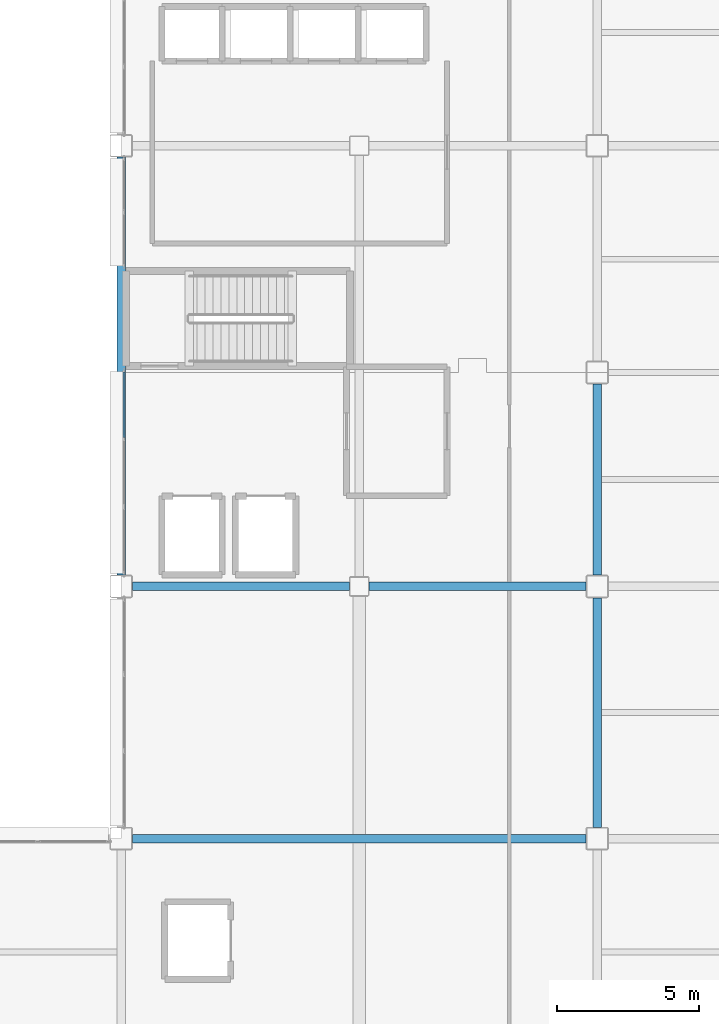
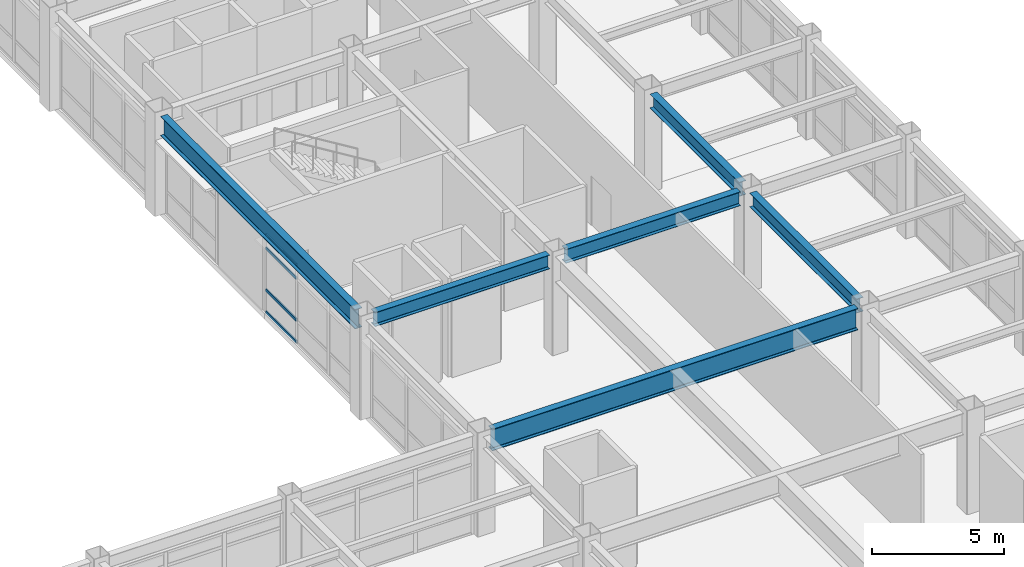
# One storey, part 91 of 154: 6 beams, 4 members, 1 element without a shape of its own.
"""IFC4 building model written with IfcOpenShell, lengths in metres."""

from ifc_helpers import new_model, si_unit, direction, frame, origin, origin_2d, place, context, subcontext, project, spatial, hollow_rectangle, i_section, extrude, material, layer, layer_set, material_profile, profile_set, type_object, element, aggregate, save


model = new_model("IFC4")

# Units and contexts
model_context = context("Model", 3, precision=1e-05, world=origin(), true_north=direction((0.0, 1.0)))
body_context = subcontext(model_context, "Body", "Model", "MODEL_VIEW")
ifc_project = project(units=[si_unit("LENGTHUNIT", "METRE"), si_unit("AREAUNIT", "SQUARE_METRE"), si_unit("VOLUMEUNIT", "CUBIC_METRE"), si_unit("PLANEANGLEUNIT", "RADIAN"), si_unit("MASSUNIT", "GRAM", prefix="KILO")], contexts=[model_context])

# Site, building, storey
site_placement = place(None, origin())
site = spatial("IfcSite", under=ifc_project, at=site_placement, CompositionType="ELEMENT")
building_placement = place(site_placement, origin())
building = spatial("IfcBuilding", under=site, at=building_placement, Name="Kazehara Bluff Congress Hotel", CompositionType="ELEMENT")
storey_placement = place(building_placement, frame((0.0, 0.0, 10.199951171875)))
storey = spatial("IfcBuildingStorey", under=building, at=storey_placement, Name="L02", CompositionType="ELEMENT", Elevation=10.199951171875)

# Curtain wall, members
ifc_material_1 = material(Name="Anodised aluminium", Category="aluminium")
ifc_layer = layer(ifc_material_1, 0.159912109375)
ifc_layer_set = layer_set([ifc_layer], Name="Anodised aluminium")
curtain_wall_type = type_object("IfcCurtainWallType", Name="TP-CW-141", PredefinedType="NOTDEFINED", material=ifc_layer_set)
curtain_wall_placement = place(storey_placement, origin())
curtain_wall = element("IfcCurtainWall", 1, at=curtain_wall_placement, inside=storey, type_object=curtain_wall_type, Name="L02 curtain wall CW-141 CW-ENC-V5-L02-14380-4492", PredefinedType="NOTDEFINED")
ifc_material_2 = material(Name="Anodised aluminium", Category="aluminium")
ifc_material_profile_1 = material_profile(ifc_material_2, hollow_rectangle(XDim=0.06494140625, YDim=0.139892578125, WallThickness=0.00390625, InnerFilletRadius=0.00390625, OuterFilletRadius=0.008056640625, at=origin_2d()))
ifc_profile_set_1 = profile_set([ifc_material_profile_1], Name="Anodised aluminium")
member_type = type_object("IfcMemberType", Name="TP-CWT-02", PredefinedType="USERDEFINED", material=ifc_profile_set_1)
member_1_placement = place(storey_placement, frame((143.800048828125, 46.1591796875, 0.032470703125), z_axis=(0.0, 1.0, 0.0), x_axis=(-1.0, 0.0, 0.0)))
member_1 = element("IfcMember", 2, at=member_1_placement, type_object=member_type, Name="CW-141 transom 3.1", ObjectType="TRANSOM", PredefinedType="USERDEFINED", context=body_context, shape_type="SweptSolid", body=[
    extrude(hollow_rectangle(XDim=0.06494140625, YDim=0.139892578125, WallThickness=0.00390625, InnerFilletRadius=0.00390625, OuterFilletRadius=0.008056640625, at=origin_2d()), origin(), (0.0, 0.0, 1.0), 2.31591796875),
])
member_2_placement = place(storey_placement, frame((143.800048828125, 46.1591796875, 1.050048828125), z_axis=(0.0, 1.0, 0.0), x_axis=(-1.0, 0.0, 0.0)))
member_2 = element("IfcMember", 3, at=member_2_placement, type_object=member_type, Name="CW-141 transom 3.2", ObjectType="TRANSOM", PredefinedType="USERDEFINED", context=body_context, shape_type="SweptSolid", body=[
    extrude(hollow_rectangle(XDim=0.06494140625, YDim=0.139892578125, WallThickness=0.00390625, InnerFilletRadius=0.00390625, OuterFilletRadius=0.008056640625, at=origin_2d()), origin(), (0.0, 0.0, 1.0), 2.31591796875),
])
member_3_placement = place(storey_placement, frame((143.800048828125, 46.1591796875, 2.985107421875), z_axis=(0.0, 1.0, 0.0), x_axis=(-1.0, 0.0, 0.0)))
member_3 = element("IfcMember", 4, at=member_3_placement, type_object=member_type, Name="CW-141 transom 3.3", ObjectType="TRANSOM", PredefinedType="USERDEFINED", context=body_context, shape_type="SweptSolid", body=[
    extrude(hollow_rectangle(XDim=0.06494140625, YDim=0.139892578125, WallThickness=0.00390625, InnerFilletRadius=0.00390625, OuterFilletRadius=0.008056640625, at=origin_2d()), origin(), (0.0, 0.0, 1.0), 2.31591796875),
])
member_4_placement = place(storey_placement, frame((143.800048828125, 46.1591796875, 3.6025390625), z_axis=(0.0, 1.0, 0.0), x_axis=(-1.0, 0.0, 0.0)))
member_4 = element("IfcMember", 5, at=member_4_placement, type_object=member_type, Name="CW-141 transom 3.4", ObjectType="TRANSOM", PredefinedType="USERDEFINED", context=body_context, shape_type="SweptSolid", body=[
    extrude(hollow_rectangle(XDim=0.06494140625, YDim=0.139892578125, WallThickness=0.00390625, InnerFilletRadius=0.00390625, OuterFilletRadius=0.008056640625, at=origin_2d()), origin(), (0.0, 0.0, 1.0), 2.31591796875),
])
aggregate(curtain_wall, [member_1, member_2, member_3, member_4])

# Beams
ifc_material_3 = material(Name="Steel SN490B", Category="steel")
ifc_material_profile_2 = material_profile(ifc_material_3, i_section(OverallWidth=0.300048828125, OverallDepth=0.64990234375, WebThickness=0.011962890625, FlangeThickness=0.02001953125, FilletRadius=0.012939453125, at=origin_2d()))
ifc_profile_set_2 = profile_set([ifc_material_profile_2], Name="Steel SN490B")
beam_type_1 = type_object("IfcBeamType", Name="TP-G-03", PredefinedType="BEAM", material=ifc_profile_set_2)
beam_1_placement = place(storey_placement, frame((160.5, 32.39990234375, 4.235107421875), z_axis=(0.0, 1.0, 0.0), x_axis=(-1.0, 0.0, 0.0)))
element("IfcBeam", 6, at=beam_1_placement, inside=storey, type_object=beam_type_1, Name="L02 girder G-03 161", PredefinedType="BEAM", context=body_context, shape_type="SweptSolid", body=[
    extrude(i_section(OverallWidth=0.300048828125, OverallDepth=0.64990234375, WebThickness=0.011962890625, FlangeThickness=0.02001953125, FilletRadius=0.012939453125, at=origin_2d()), origin(), (0.0, 0.0, 1.0), 8.10009765625),
])
beam_2_placement = place(storey_placement, frame((160.5, 41.300048828125, 4.235107421875), z_axis=(0.0, 1.0, 0.0), x_axis=(-1.0, 0.0, 0.0)))
element("IfcBeam", 7, at=beam_2_placement, inside=storey, type_object=beam_type_1, Name="L02 girder G-03 162", PredefinedType="BEAM", context=body_context, shape_type="SweptSolid", body=[
    extrude(i_section(OverallWidth=0.300048828125, OverallDepth=0.64990234375, WebThickness=0.011962890625, FlangeThickness=0.02001953125, FilletRadius=0.012939453125, at=origin_2d()), origin(), (0.0, 0.0, 1.0), 6.75),
])
beam_3_placement = place(storey_placement, frame((144.10009765625, 40.89990234375, 4.235107421875), z_axis=(1.0, 0.0, 0.0), x_axis=(0.0, 1.0, 0.0)))
element("IfcBeam", 8, at=beam_3_placement, inside=storey, type_object=beam_type_1, Name="L02 girder G-03 205", PredefinedType="BEAM", context=body_context, shape_type="SweptSolid", body=[
    extrude(i_section(OverallWidth=0.300048828125, OverallDepth=0.64990234375, WebThickness=0.011962890625, FlangeThickness=0.02001953125, FilletRadius=0.012939453125, at=origin_2d()), origin(), (0.0, 0.0, 1.0), 7.64990234375),
])
beam_4_placement = place(storey_placement, frame((152.449951171875, 40.89990234375, 4.235107421875), z_axis=(1.0, 0.0, 0.0), x_axis=(0.0, 1.0, 0.0)))
element("IfcBeam", 9, at=beam_4_placement, inside=storey, type_object=beam_type_1, Name="L02 girder G-03 206", PredefinedType="BEAM", context=body_context, shape_type="SweptSolid", body=[
    extrude(i_section(OverallWidth=0.300048828125, OverallDepth=0.64990234375, WebThickness=0.011962890625, FlangeThickness=0.02001953125, FilletRadius=0.012939453125, at=origin_2d()), origin(), (0.0, 0.0, 1.0), 7.650146484375),
])
ifc_material_4 = material(Name="Steel SN490B", Category="steel")
ifc_material_profile_3 = material_profile(ifc_material_4, i_section(OverallWidth=0.300048828125, OverallDepth=0.89990234375, WebThickness=0.01611328125, FlangeThickness=0.028076171875, FilletRadius=0.01806640625, at=origin_2d()))
ifc_profile_set_3 = profile_set([ifc_material_profile_3], Name="Steel SN490B")
beam_type_2 = type_object("IfcBeamType", Name="TP-G-08", PredefinedType="BEAM", material=ifc_profile_set_3)
beam_5_placement = place(storey_placement, frame((143.699951171875, 41.300048828125, 4.110107421875), z_axis=(0.0, 1.0, 0.0), x_axis=(-1.0, 0.0, 0.0)))
element("IfcBeam", 10, at=beam_5_placement, inside=storey, type_object=beam_type_2, Name="L02 girder G-08 143", PredefinedType="BEAM", context=body_context, shape_type="SweptSolid", body=[
    extrude(i_section(OverallWidth=0.300048828125, OverallDepth=0.89990234375, WebThickness=0.01611328125, FlangeThickness=0.028076171875, FilletRadius=0.01806640625, at=origin_2d()), origin(), (0.0, 0.0, 1.0), 14.75),
])
ifc_material_5 = material(Name="Steel SN490B", Category="steel")
ifc_material_profile_4 = material_profile(ifc_material_5, i_section(OverallWidth=0.300048828125, OverallDepth=1.0, WebThickness=0.01611328125, FlangeThickness=0.028076171875, FilletRadius=0.02197265625, at=origin_2d()))
ifc_profile_set_4 = profile_set([ifc_material_profile_4], Name="Steel SN490B")
beam_type_3 = type_object("IfcBeamType", Name="TP-G-09", PredefinedType="BEAM", material=ifc_profile_set_4)
beam_6_placement = place(storey_placement, frame((144.10009765625, 32.0, 4.06005859375), z_axis=(1.0, 0.0, 0.0), x_axis=(0.0, 1.0, 0.0)))
element("IfcBeam", 11, at=beam_6_placement, inside=storey, type_object=beam_type_3, Name="L02 girder G-09 203", PredefinedType="BEAM", context=body_context, shape_type="SweptSolid", body=[
    extrude(i_section(OverallWidth=0.300048828125, OverallDepth=1.0, WebThickness=0.01611328125, FlangeThickness=0.028076171875, FilletRadius=0.02197265625, at=origin_2d()), origin(), (0.0, 0.0, 1.0), 16.0),
])

save(model, "model.ifc")
